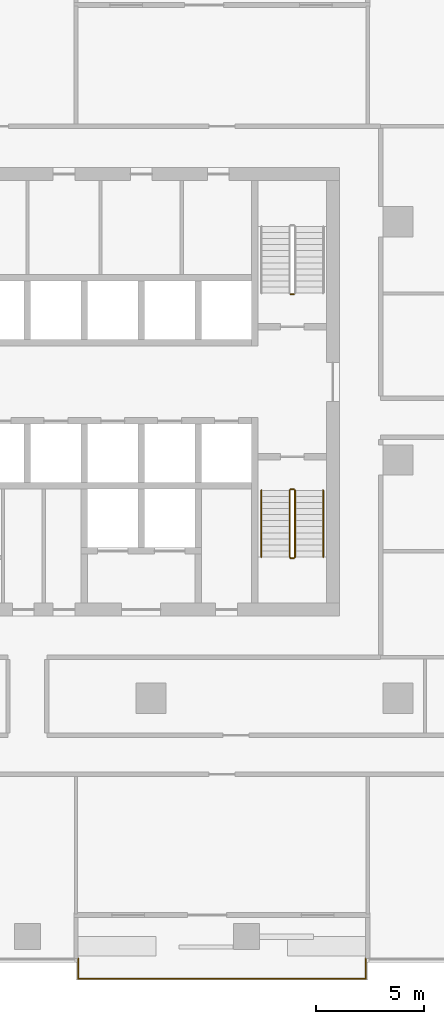
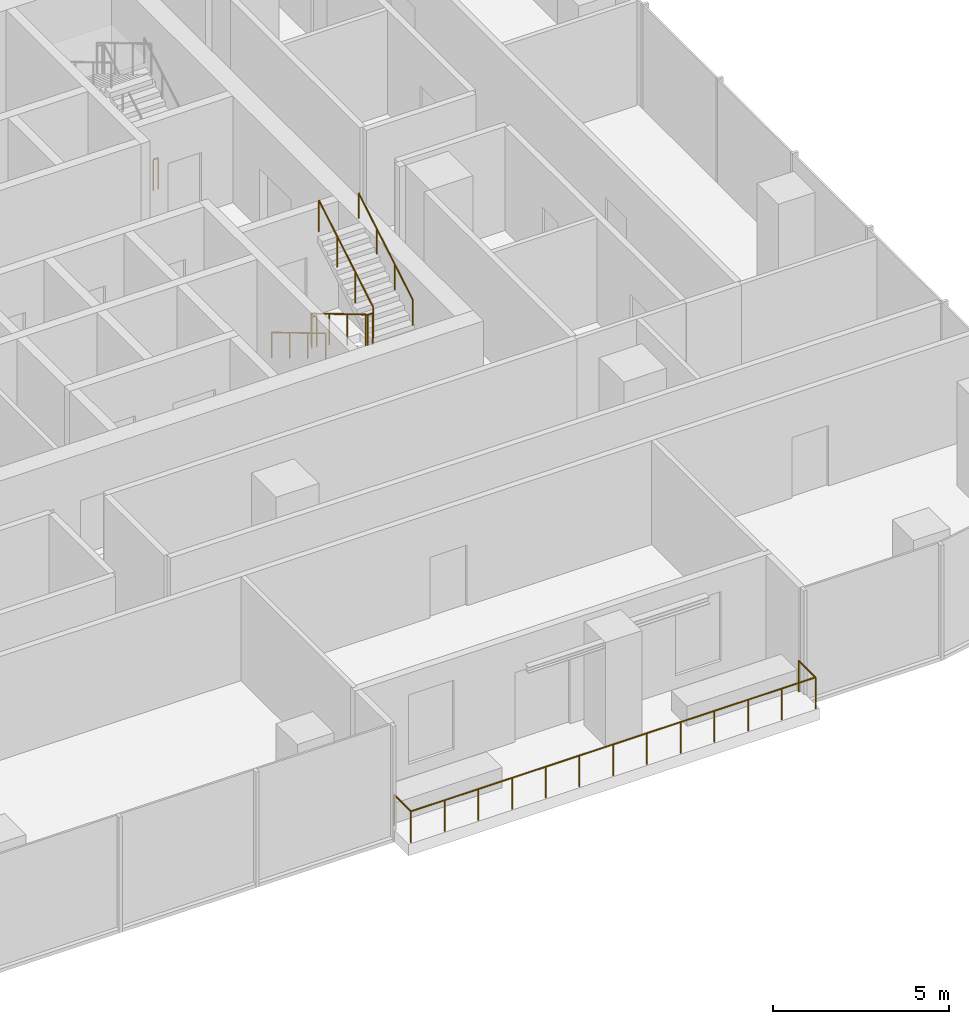
# One storey, part 13 of 14: 7 railings.
"""IFC4 building model written with IfcOpenShell, lengths in metres."""

from ifc_helpers import new_model, si_unit, direction, frame, origin, origin_2d, place, context, subcontext, project, spatial, circle, extrude, material, type_object, element, save


model = new_model("IFC4")

# Units and contexts
model_context = context("Model", 3, precision=1e-05, world=origin(), true_north=direction((0.0, 1.0)))
body_context = subcontext(model_context, "Body", "Model", "MODEL_VIEW")
ifc_project = project(units=[si_unit("LENGTHUNIT", "METRE"), si_unit("AREAUNIT", "SQUARE_METRE"), si_unit("VOLUMEUNIT", "CUBIC_METRE"), si_unit("PLANEANGLEUNIT", "RADIAN"), si_unit("MASSUNIT", "GRAM", prefix="KILO")], contexts=[model_context])

# Site, building, storey
site_placement = place(None, origin())
site = spatial("IfcSite", under=ifc_project, at=site_placement, CompositionType="ELEMENT")
building_placement = place(site_placement, origin())
building = spatial("IfcBuilding", under=site, at=building_placement, Name="Mopane Tessera Tower", CompositionType="ELEMENT")
storey_placement = place(building_placement, frame((0.0, 0.0, 189.0)))
storey = spatial("IfcBuildingStorey", under=building, at=storey_placement, Name="L39", CompositionType="ELEMENT", Elevation=189.0)

# Railings
ifc_material_1 = material(Name="Powder-coated steel balustrade", Category="steel")
railing_type_1 = type_object("IfcRailingType", Name="Escape stair guard 1100 mm", PredefinedType="GUARDRAIL", material=ifc_material_1)
railing_1_placement = place(storey_placement, frame((12.10009765625, -1.39990234375, 0.166748046875)))
element("IfcRailing", 1, at=railing_1_placement, inside=storey, type_object=railing_type_1, Name="L39 ST3 stair guard 1", PredefinedType="GUARDRAIL", context=body_context, shape_type="SweptSolid", body=[
    extrude(circle(Radius=0.02392578125, at=origin_2d()), frame((0.0, 0.0, 1.076171875), z_axis=(0.0, -0.859308565015, 0.511457515432), x_axis=(1.0, 0.0, 0.0)), (0.0, 0.0, 1.0), 3.58447265625),
    extrude(circle(Radius=0.02392578125, at=origin_2d()), frame((0.0, -3.080078125, 2.9091796875), z_axis=(0.705375805398, -0.708833529934, 0.0), x_axis=(0.708833529934, 0.705375805398, 0.0)), (0.0, 0.0, 1.0), 0.070556640625),
    extrude(circle(Radius=0.02392578125, at=origin_2d()), frame((0.0498046875, -3.130126953125, 2.9091796875), z_axis=(1.0, 0.0, 0.0), x_axis=(0.0, 1.0, 0.0)), (0.0, 0.0, 1.0), 0.150146484375),
    extrude(circle(Radius=0.02099609375, at=origin_2d()), origin(), (0.0, 0.0, 1.0), 1.052001953125),
    extrude(circle(Radius=0.02099609375, at=origin_2d()), frame((0.0, -1.026611328125, 0.611083984375)), (0.0, 0.0, 1.0), 1.052001953125),
    extrude(circle(Radius=0.02099609375, at=origin_2d()), frame((0.0, -2.053466796875, 1.22216796875)), (0.0, 0.0, 1.0), 1.052001953125),
    extrude(circle(Radius=0.02099609375, at=origin_2d()), frame((0.0, -3.080078125, 1.833251953125)), (0.0, 0.0, 1.0), 1.052001953125),
    extrude(circle(Radius=0.02099609375, at=origin_2d()), frame((0.0498046875, -3.130126953125, 1.833251953125)), (0.0, 0.0, 1.0), 1.052001953125),
    extrude(circle(Radius=0.02099609375, at=origin_2d()), frame((0.199951171875, -3.130126953125, 1.833251953125)), (0.0, 0.0, 1.0), 1.052001953125),
])
railing_2_placement = place(storey_placement, frame((12.35009765625, -4.47998046875, 2.166748046875)))
element("IfcRailing", 2, at=railing_2_placement, inside=storey, type_object=railing_type_1, Name="L39 ST3 stair guard 2", PredefinedType="GUARDRAIL", context=body_context, shape_type="SweptSolid", body=[
    extrude(circle(Radius=0.02392578125, at=origin_2d()), frame((0.0, 0.0, 1.076171875), z_axis=(0.0, 0.859308565015, 0.511457515432), x_axis=(-1.0, 0.0, 0.0)), (0.0, 0.0, 1.0), 3.58447265625),
    extrude(circle(Radius=0.02099609375, at=origin_2d()), origin(), (0.0, 0.0, 1.0), 1.052001953125),
    extrude(circle(Radius=0.02099609375, at=origin_2d()), frame((0.0, 1.026611328125, 0.611083984375)), (0.0, 0.0, 1.0), 1.052001953125),
    extrude(circle(Radius=0.02099609375, at=origin_2d()), frame((0.0, 2.053466796875, 1.22216796875)), (0.0, 0.0, 1.0), 1.052001953125),
    extrude(circle(Radius=0.02099609375, at=origin_2d()), frame((0.0, 3.080078125, 1.833251953125)), (0.0, 0.0, 1.0), 1.052001953125),
])
railing_3_placement = place(storey_placement, frame((12.14990234375, -1.35009765625, 0.0)))
element("IfcRailing", 3, at=railing_3_placement, inside=storey, type_object=railing_type_1, Name="L39 ST3 stair guard 3", PredefinedType="GUARDRAIL", context=body_context, shape_type="SweptSolid", body=[
    extrude(circle(Radius=0.02392578125, at=origin_2d()), frame((0.0, 0.0, 1.076171875), z_axis=(1.0, 0.0, 0.0), x_axis=(0.0, 1.0, 0.0)), (0.0, 0.0, 1.0), 0.150146484375),
    extrude(circle(Radius=0.02099609375, at=origin_2d()), origin(), (0.0, 0.0, 1.0), 1.052001953125),
    extrude(circle(Radius=0.02099609375, at=origin_2d()), frame((0.150146484375, 0.0, 0.0)), (0.0, 0.0, 1.0), 1.052001953125),
])
railing_4_placement = place(storey_placement, frame((12.300048828125, 7.64990234375, 0.0)))
element("IfcRailing", 4, at=railing_4_placement, inside=storey, type_object=railing_type_1, Name="L39 ST4 stair guard 3", PredefinedType="GUARDRAIL", context=body_context, shape_type="SweptSolid", body=[
    extrude(circle(Radius=0.02392578125, at=origin_2d()), frame((0.0, 0.0, 1.076171875), z_axis=(-1.0, 0.0, 0.0), x_axis=(0.0, -1.0, 0.0)), (0.0, 0.0, 1.0), 0.150146484375),
    extrude(circle(Radius=0.02099609375, at=origin_2d()), origin(), (0.0, 0.0, 1.0), 1.052001953125),
    extrude(circle(Radius=0.02099609375, at=origin_2d()), frame((-0.150146484375, 0.0, 0.0)), (0.0, 0.0, 1.0), 1.052001953125),
])
ifc_material_2 = material(Name="Powder-coated steel balustrade", Category="steel")
railing_type_2 = type_object("IfcRailingType", Name="Escape stair handrail 900 mm", PredefinedType="HANDRAIL", material=ifc_material_2)
railing_5_placement = place(storey_placement, frame((10.800048828125, -1.39990234375, 0.166748046875)))
element("IfcRailing", 5, at=railing_5_placement, inside=storey, type_object=railing_type_2, Name="L39 ST3 stair handrail 1", PredefinedType="HANDRAIL", context=body_context, shape_type="SweptSolid", body=[
    extrude(circle(Radius=0.02392578125, at=origin_2d()), frame((0.0, 0.0, 0.8759765625), z_axis=(0.0, -0.859308565015, 0.511457515432), x_axis=(1.0, 0.0, 0.0)), (0.0, 0.0, 1.0), 3.58447265625),
    extrude(circle(Radius=0.02099609375, at=origin_2d()), origin(), (0.0, 0.0, 1.0), 0.851806640625),
    extrude(circle(Radius=0.02099609375, at=origin_2d()), frame((0.0, -1.026611328125, 0.611083984375)), (0.0, 0.0, 1.0), 0.851806640625),
    extrude(circle(Radius=0.02099609375, at=origin_2d()), frame((0.0, -2.053466796875, 1.22216796875)), (0.0, 0.0, 1.0), 0.851806640625),
    extrude(circle(Radius=0.02099609375, at=origin_2d()), frame((0.0, -3.080078125, 1.833251953125)), (0.0, 0.0, 1.0), 0.851806640625),
])
railing_6_placement = place(storey_placement, frame((13.64990234375, -4.47998046875, 2.166748046875)))
element("IfcRailing", 6, at=railing_6_placement, inside=storey, type_object=railing_type_2, Name="L39 ST3 stair handrail 2", PredefinedType="HANDRAIL", context=body_context, shape_type="SweptSolid", body=[
    extrude(circle(Radius=0.02392578125, at=origin_2d()), frame((0.0, 0.0, 0.8759765625), z_axis=(0.0, 0.859308565015, 0.511457515432), x_axis=(-1.0, 0.0, 0.0)), (0.0, 0.0, 1.0), 3.58447265625),
    extrude(circle(Radius=0.02099609375, at=origin_2d()), origin(), (0.0, 0.0, 1.0), 0.851806640625),
    extrude(circle(Radius=0.02099609375, at=origin_2d()), frame((0.0, 1.026611328125, 0.611083984375)), (0.0, 0.0, 1.0), 0.851806640625),
    extrude(circle(Radius=0.02099609375, at=origin_2d()), frame((0.0, 2.053466796875, 1.22216796875)), (0.0, 0.0, 1.0), 0.851806640625),
    extrude(circle(Radius=0.02099609375, at=origin_2d()), frame((0.0, 3.080078125, 1.833251953125)), (0.0, 0.0, 1.0), 0.851806640625),
])
ifc_material_3 = material(Name="Stainless steel S316", Category="steel")
railing_type_3 = type_object("IfcRailingType", Name="Terrace guard 1100", PredefinedType="GUARDRAIL", material=ifc_material_3)
railing_7_placement = place(storey_placement, frame((2.344482421875, -23.0, 0.0)))
element("IfcRailing", 7, at=railing_7_placement, inside=storey, type_object=railing_type_3, Name="e:nw:L39:N2:guard", PredefinedType="GUARDRAIL", context=body_context, shape_type="SweptSolid", body=[
    extrude(circle(Radius=0.02392578125, at=origin_2d()), frame((0.0, 0.0, 1.076171875), z_axis=(0.0, -1.0, 0.0), x_axis=(1.0, 0.0, 0.0)), (0.0, 0.0, 1.0), 0.949951171875),
    extrude(circle(Radius=0.02392578125, at=origin_2d()), frame((0.0, -0.949951171875, 1.076171875), z_axis=(1.0, 0.0, 0.0), x_axis=(0.0, 1.0, 0.0)), (0.0, 0.0, 1.0), 13.2666015625),
    extrude(circle(Radius=0.02392578125, at=origin_2d()), frame((13.2666015625, -0.949951171875, 1.076171875), z_axis=(0.0, 1.0, 0.0), x_axis=(-1.0, 0.0, 0.0)), (0.0, 0.0, 1.0), 0.949951171875),
    extrude(circle(Radius=0.02099609375, at=origin_2d()), origin(), (0.0, 0.0, 1.0), 1.052001953125),
    extrude(circle(Radius=0.02099609375, at=origin_2d()), frame((0.0, -0.949951171875, 0.0)), (0.0, 0.0, 1.0), 1.052001953125),
    extrude(circle(Radius=0.02099609375, at=origin_2d()), frame((1.10546875, -0.949951171875, 0.0)), (0.0, 0.0, 1.0), 1.052001953125),
    extrude(circle(Radius=0.02099609375, at=origin_2d()), frame((2.211181640625, -0.949951171875, 0.0)), (0.0, 0.0, 1.0), 1.052001953125),
    extrude(circle(Radius=0.02099609375, at=origin_2d()), frame((3.316650390625, -0.949951171875, 0.0)), (0.0, 0.0, 1.0), 1.052001953125),
    extrude(circle(Radius=0.02099609375, at=origin_2d()), frame((4.422119140625, -0.949951171875, 0.0)), (0.0, 0.0, 1.0), 1.052001953125),
    extrude(circle(Radius=0.02099609375, at=origin_2d()), frame((5.52783203125, -0.949951171875, 0.0)), (0.0, 0.0, 1.0), 1.052001953125),
    extrude(circle(Radius=0.02099609375, at=origin_2d()), frame((6.63330078125, -0.949951171875, 0.0)), (0.0, 0.0, 1.0), 1.052001953125),
    extrude(circle(Radius=0.02099609375, at=origin_2d()), frame((7.73876953125, -0.949951171875, 0.0)), (0.0, 0.0, 1.0), 1.052001953125),
    extrude(circle(Radius=0.02099609375, at=origin_2d()), frame((8.844482421875, -0.949951171875, 0.0)), (0.0, 0.0, 1.0), 1.052001953125),
    extrude(circle(Radius=0.02099609375, at=origin_2d()), frame((9.949951171875, -0.949951171875, 0.0)), (0.0, 0.0, 1.0), 1.052001953125),
    extrude(circle(Radius=0.02099609375, at=origin_2d()), frame((11.055419921875, -0.949951171875, 0.0)), (0.0, 0.0, 1.0), 1.052001953125),
    extrude(circle(Radius=0.02099609375, at=origin_2d()), frame((12.1611328125, -0.949951171875, 0.0)), (0.0, 0.0, 1.0), 1.052001953125),
    extrude(circle(Radius=0.02099609375, at=origin_2d()), frame((13.2666015625, -0.949951171875, 0.0)), (0.0, 0.0, 1.0), 1.052001953125),
    extrude(circle(Radius=0.02099609375, at=origin_2d()), frame((13.2666015625, 0.0, 0.0)), (0.0, 0.0, 1.0), 1.052001953125),
])

save(model, "model.ifc")
